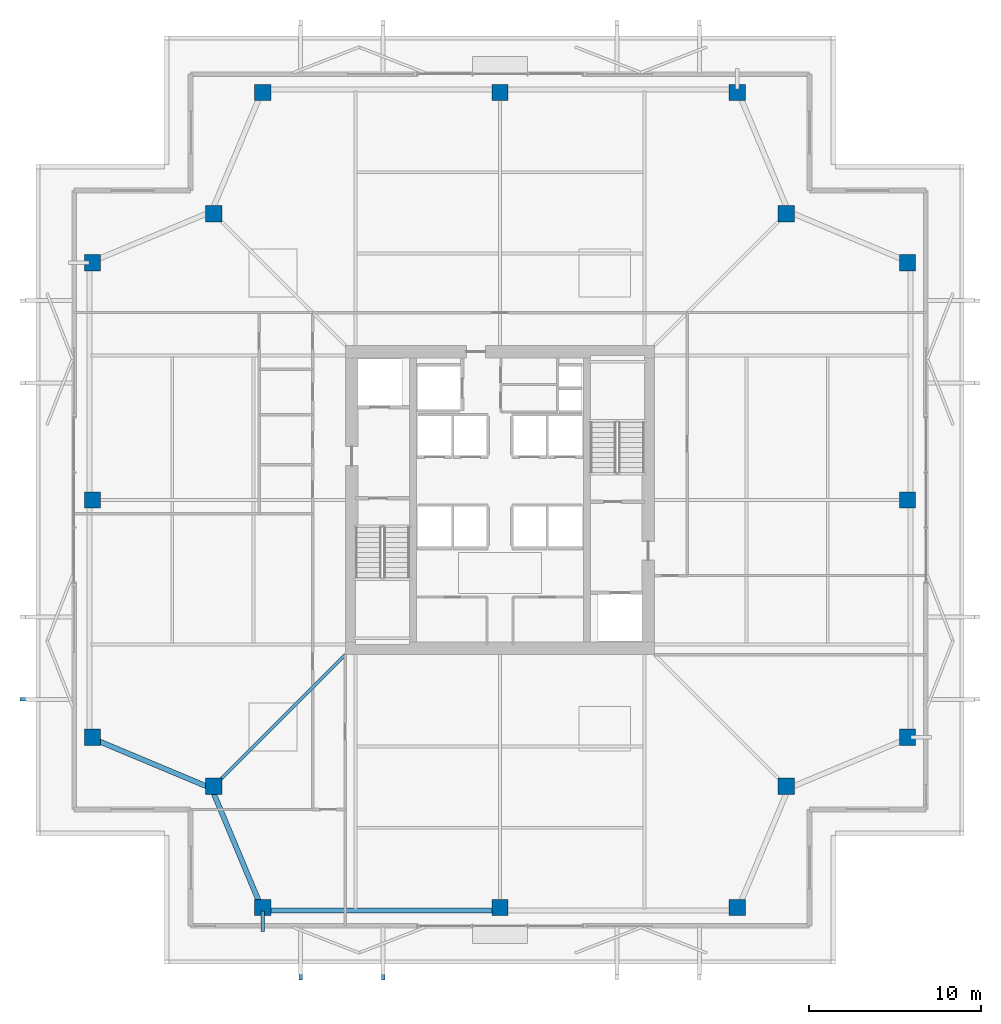
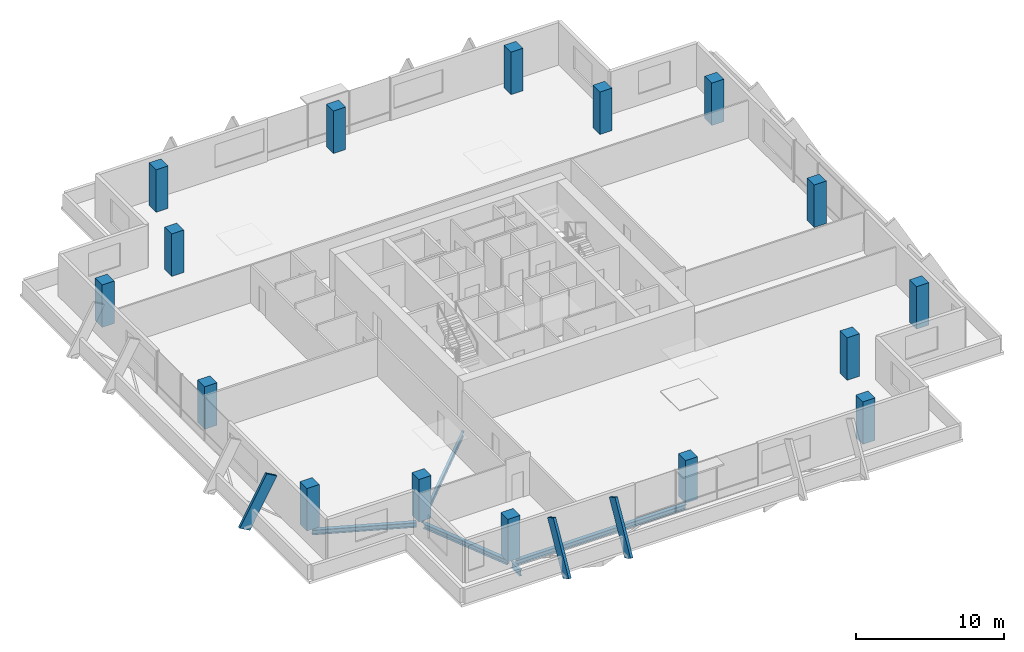
# One storey, part 1 of 17: 16 columns, 5 beams, 3 members.
"""IFC4 building model written with IfcOpenShell, lengths in metres."""

from ifc_helpers import new_model, si_unit, direction, frame, origin, origin_2d, place, context, subcontext, project, spatial, rectangle, hollow_rectangle, i_section, extrude, material, material_profile, profile_set, type_object, element, save


model = new_model("IFC4")

# Units and contexts
model_context = context("Model", 3, precision=1e-05, world=origin(), true_north=direction((0.0, 1.0)))
body_context = subcontext(model_context, "Body", "Model", "MODEL_VIEW")
ifc_project = project(units=[si_unit("LENGTHUNIT", "METRE"), si_unit("AREAUNIT", "SQUARE_METRE"), si_unit("VOLUMEUNIT", "CUBIC_METRE"), si_unit("PLANEANGLEUNIT", "RADIAN"), si_unit("MASSUNIT", "GRAM", prefix="KILO")], contexts=[model_context])

# Site, building, storey
site_placement = place(None, origin())
site = spatial("IfcSite", under=ifc_project, at=site_placement, CompositionType="ELEMENT")
building_placement = place(site_placement, origin())
building = spatial("IfcBuilding", under=site, at=building_placement, Name="Belovzor Exchange Tower", CompositionType="ELEMENT")
storey_placement = place(building_placement, frame((0.0, 0.0, 246.60009765625)))
storey = spatial("IfcBuildingStorey", under=building, at=storey_placement, Name="L61", CompositionType="ELEMENT", Elevation=246.60009765625)

# Columns
ifc_material_1 = material(Name="Concrete C50/60", Category="concrete")
ifc_material_profile_1 = material_profile(ifc_material_1, rectangle(XDim=0.949951171875, YDim=0.949951171875, at=origin_2d()))
ifc_profile_set_1 = profile_set([ifc_material_profile_1], Name="Concrete C50/60")
column_type = type_object("IfcColumnType", Name="Reinforced Concrete Tower Column 950x950", PredefinedType="COLUMN", material=ifc_profile_set_1)
for number, where, z_axis, x_axis, name in (
    (1, (15.0, 5.10009765625, 0.0029296875), (0.0, 0.0, 1.0), (1.0, 0.0, 0.0), "COL-T095 Reinforced Concrete Tower Column 950x950"),
    (2, (28.800048828125, 5.10009765625, 0.0029296875), (0.0, 0.0, 1.0), (1.0, 0.0, 0.0), "COL-T095 Reinforced Concrete Tower Column 950x950"),
    (3, (42.60009765625, 5.10009765625, 0.0029296875), (0.0, 0.0, 1.0), (1.0, 0.0, 0.0), "COL-T095 Reinforced Concrete Tower Column 950x950"),
    (4, (52.5, 15.0, 0.0029296875), (0.0, 0.0, 1.0), (1.0, 0.0, 0.0), "COL-T095 Reinforced Concrete Tower Column 950x950"),
    (5, (52.5, 28.800048828125, 0.0029296875), (0.0, 0.0, 1.0), (1.0, 0.0, 0.0), "COL-T095 Reinforced Concrete Tower Column 950x950"),
    (6, (52.5, 42.60009765625, 0.0029296875), (0.0, 0.0, 1.0), (1.0, 0.0, 0.0), "COL-T095 Reinforced Concrete Tower Column 950x950"),
    (7, (42.60009765625, 52.5, 0.0029296875), (0.0, 0.0, 1.0), (1.0, 0.0, 0.0), "COL-T095 Reinforced Concrete Tower Column 950x950"),
    (8, (28.800048828125, 52.5, 0.0029296875), (0.0, 0.0, 1.0), (1.0, 0.0, 0.0), "COL-T095 Reinforced Concrete Tower Column 950x950"),
    (9, (15.0, 52.5, 0.0029296875), (0.0, 0.0, 1.0), (1.0, 0.0, 0.0), "COL-T095 Reinforced Concrete Tower Column 950x950"),
    (10, (5.10009765625, 42.60009765625, 0.0029296875), (0.0, 0.0, 1.0), (1.0, 0.0, 0.0), "COL-T095 Reinforced Concrete Tower Column 950x950"),
    (11, (5.10009765625, 28.800048828125, 0.0029296875), (0.0, 0.0, 1.0), (1.0, 0.0, 0.0), "COL-T095 Reinforced Concrete Tower Column 950x950"),
    (12, (5.10009765625, 15.0, 0.0029296875), (0.0, 0.0, 1.0), (1.0, 0.0, 0.0), "COL-T095 Reinforced Concrete Tower Column 950x950"),
    (13, (12.14990234375, 12.14990234375, 0.0029296875), (0.0, 0.0, 1.0), (1.0, 0.0, 0.0), "COL-T095 Reinforced Concrete Tower Column 950x950"),
    (14, (45.449951171875, 12.14990234375, 0.0029296875), (0.0, 0.0, 1.0), (1.0, 0.0, 0.0), "COL-T095 Reinforced Concrete Tower Column 950x950"),
    (15, (45.449951171875, 45.449951171875, 0.0029296875), (0.0, 0.0, 1.0), (1.0, 0.0, 0.0), "COL-T095 Reinforced Concrete Tower Column 950x950"),
    (16, (12.14990234375, 45.449951171875, 0.0029296875), (0.0, 0.0, 1.0), (1.0, 0.0, 0.0), "COL-T095 Reinforced Concrete Tower Column 950x950"),
):
    element("IfcColumn", number, at=place(storey_placement, frame(where, z_axis=z_axis, x_axis=x_axis)), inside=storey, type_object=column_type, Name=name, PredefinedType="COLUMN", context=body_context, shape_type="SweptSolid", body=[
        extrude(rectangle(XDim=0.949951171875, YDim=0.949951171875, at=origin_2d()), origin(), (0.0, 0.0, 1.0), 3.493896484375),
    ])

# Beam
ifc_material_2 = material(Name="Steel S355", Category="steel")
ifc_material_profile_2 = material_profile(ifc_material_2, i_section(OverallWidth=0.199951171875, OverallDepth=0.5, WebThickness=0.01025390625, FlangeThickness=0.01611328125, at=origin_2d()))
ifc_profile_set_2 = profile_set([ifc_material_profile_2], Name="Steel S355")
beam_type_1 = type_object("IfcBeamType", Name="Planted Balcony Cantilever Beam IPE 500", PredefinedType="BEAM", material=ifc_profile_set_2)
beam_1_placement = place(storey_placement, frame((15.0, 4.906005859375, -0.5), z_axis=(0.0, -1.0, 0.0), x_axis=(1.0, 0.0, 0.0)))
element("IfcBeam", 17, at=beam_1_placement, inside=storey, type_object=beam_type_1, Name="BC-500 Planted Balcony Cantilever Beam IPE 500", PredefinedType="BEAM", context=body_context, shape_type="SweptSolid", body=[
    extrude(i_section(OverallWidth=0.199951171875, OverallDepth=0.5, WebThickness=0.01025390625, FlangeThickness=0.01611328125, at=origin_2d()), origin(), (0.0, 0.0, 1.0), 1.2060546875),
])

# Members
ifc_material_3 = material(Name="Extruded Architectural Terracotta on Steel S355 Carrier", Category="masonry")
ifc_material_profile_3 = material_profile(ifc_material_3, hollow_rectangle(XDim=0.199951171875, YDim=0.89990234375, WallThickness=0.011962890625, at=origin_2d()))
ifc_profile_set_3 = profile_set([ifc_material_profile_3], Name="Extruded Architectural Terracotta on Steel S355 Carrier")
member_type = type_object("IfcMemberType", Name="Sweeping Terracotta Baguette Fin Assembly 950", PredefinedType="USERDEFINED", material=ifc_profile_set_3)
for number, where, z_axis, x_axis, name in (
    (18, (17.199951171875, 1.27490234375, -0.25), (0.0, 0.488620665774, 0.872496329493), (-1.0, 0.0, 0.0), "FIN-TC095 Terracotta Facade Fin L61 S1"),
    (19, (1.27490234375, 17.199951171875, -0.25), (0.488620665774, 0.0, 0.872496329493), (0.0, 1.0, 0.0), "FIN-TC095 Terracotta Facade Fin L61 W1"),
    (20, (22.0, 1.27490234375, -0.25), (0.0, 0.488620665774, 0.872496329493), (-1.0, 0.0, 0.0), "FIN-TC095 Terracotta Facade Fin L61 S2"),
):
    element("IfcMember", number, at=place(storey_placement, frame(where, z_axis=z_axis, x_axis=x_axis)), inside=storey, type_object=member_type, Name=name, ObjectType="FIN", PredefinedType="USERDEFINED", context=body_context, shape_type="SweptSolid", body=[
        extrude(hollow_rectangle(XDim=0.199951171875, YDim=0.89990234375, WallThickness=0.011962890625, at=origin_2d()), origin(), (0.0, 0.0, 1.0), 4.298095703125),
    ])

# Beams
ifc_material_4 = material(Name="Steel S355", Category="steel")
ifc_material_profile_4 = material_profile(ifc_material_4, i_section(OverallWidth=0.300048828125, OverallDepth=0.39990234375, WebThickness=0.013427734375, FlangeThickness=0.02392578125, at=origin_2d()))
ifc_profile_set_4 = profile_set([ifc_material_profile_4], Name="Steel S355")
beam_type_2 = type_object("IfcBeamType", Name="Zone 5 Primary Girder HEB 400", PredefinedType="BEAM", material=ifc_profile_set_4)
beam_2_placement = place(storey_placement, frame((12.14208984375, 11.74609375, -0.4501953125), z_axis=(0.386432990342, -0.922317485455, 0.0), x_axis=(0.922317485455, 0.386432990342, 0.0)))
element("IfcBeam", 21, at=beam_2_placement, inside=storey, type_object=beam_type_2, Name="FG-Z5 Zone 5 Primary Girder HEB 400", PredefinedType="BEAM", context=body_context, shape_type="SweptSolid", body=[
    extrude(i_section(OverallWidth=0.300048828125, OverallDepth=0.39990234375, WebThickness=0.013427734375, FlangeThickness=0.02392578125, at=origin_2d()), origin(), (0.0, 0.0, 1.0), 7.093017578125),
])
beam_3_placement = place(storey_placement, frame((15.302978515625, 4.925048828125, -0.4501953125), z_axis=(1.0, 0.0, 0.0), x_axis=(0.0, 1.0, 0.0)))
element("IfcBeam", 22, at=beam_3_placement, inside=storey, type_object=beam_type_2, Name="FG-Z5 Zone 5 Primary Girder HEB 400", PredefinedType="BEAM", context=body_context, shape_type="SweptSolid", body=[
    extrude(i_section(OverallWidth=0.300048828125, OverallDepth=0.39990234375, WebThickness=0.013427734375, FlangeThickness=0.02392578125, at=origin_2d()), origin(), (0.0, 0.0, 1.0), 13.195068359375),
])
beam_4_placement = place(storey_placement, frame((5.2041015625, 14.883056640625, -0.4501953125), z_axis=(0.922317485455, -0.386432990342, 0.0), x_axis=(0.386432990342, 0.922317485455, 0.0)))
element("IfcBeam", 23, at=beam_4_placement, inside=storey, type_object=beam_type_2, Name="FG-Z5 Zone 5 Primary Girder HEB 400", PredefinedType="BEAM", context=body_context, shape_type="SweptSolid", body=[
    extrude(i_section(OverallWidth=0.300048828125, OverallDepth=0.39990234375, WebThickness=0.013427734375, FlangeThickness=0.02392578125, at=origin_2d()), origin(), (0.0, 0.0, 1.0), 7.093017578125),
])
ifc_material_5 = material(Name="Steel S355", Category="steel")
ifc_material_profile_5 = material_profile(ifc_material_5, i_section(OverallWidth=0.179931640625, OverallDepth=0.39990234375, WebThickness=0.008544921875, FlangeThickness=0.013427734375, at=origin_2d()))
ifc_profile_set_5 = profile_set([ifc_material_profile_5], Name="Steel S355")
beam_type_3 = type_object("IfcBeamType", Name="Zone 5-6 Radial Composite Floor Beam IPE 400", PredefinedType="BEAM", material=ifc_profile_set_5)
beam_5_placement = place(storey_placement, frame((19.800048828125, 19.800048828125, -0.4501953125), z_axis=(-0.707106781187, -0.707106781187, 0.0), x_axis=(0.707106781187, -0.707106781187, 0.0)))
element("IfcBeam", 24, at=beam_5_placement, inside=storey, type_object=beam_type_3, Name="FB-400 Zone 5-6 Radial Composite Floor Beam IPE 400", PredefinedType="BEAM", context=body_context, shape_type="SweptSolid", body=[
    extrude(i_section(OverallWidth=0.179931640625, OverallDepth=0.39990234375, WebThickness=0.008544921875, FlangeThickness=0.013427734375, at=origin_2d()), origin(), (0.0, 0.0, 1.0), 10.606689453125),
])

save(model, "model.ifc")
